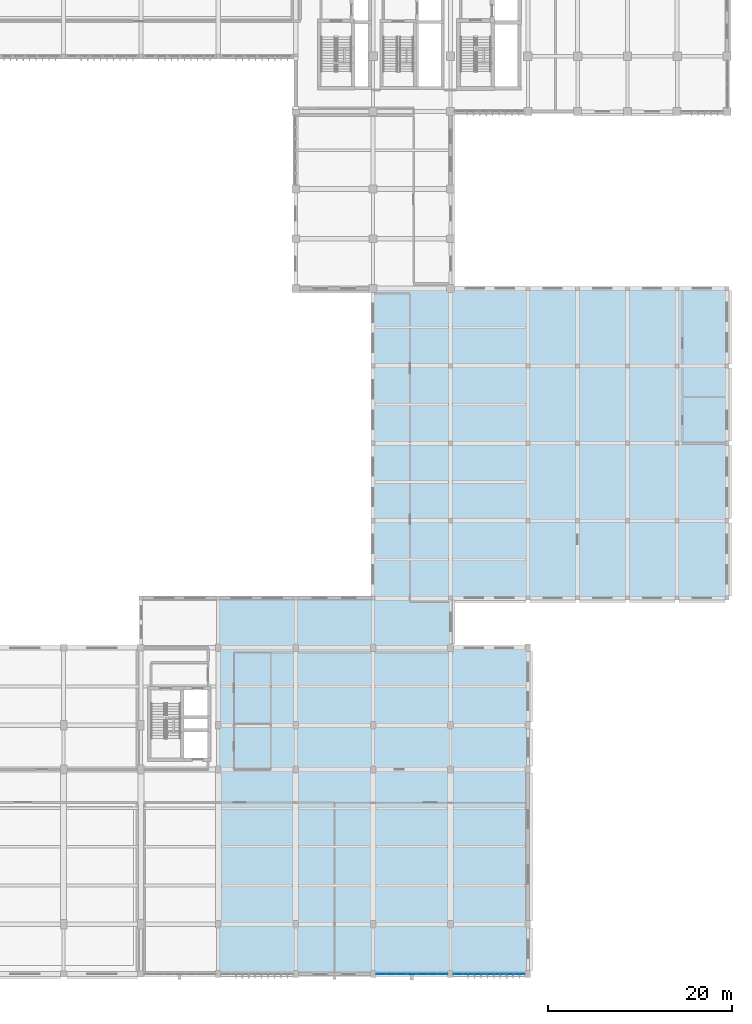
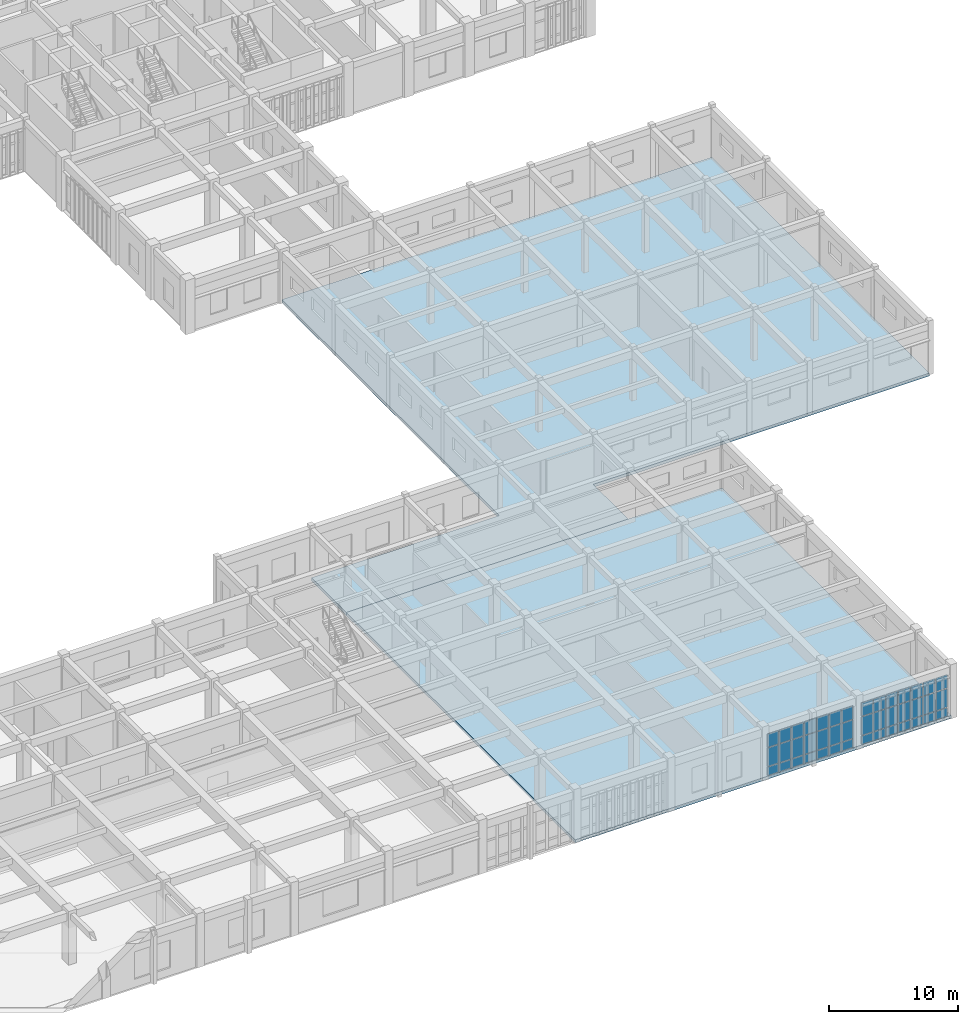
# One storey, part 77 of 106: 42 plates, 2 slabs, 2 elements without a shape of their own.
"""IFC4 building model written with IfcOpenShell, lengths in metres."""

from ifc_helpers import new_model, si_unit, direction, frame, origin, origin_2d, place, context, subcontext, project, spatial, polyline, rectangle, outline, extrude, material, layer, layer_set, type_object, element, aggregate, save


model = new_model("IFC4")

# Units and contexts
model_context = context("Model", 3, precision=1e-05, world=origin(), true_north=direction((0.0, 1.0)))
body_context = subcontext(model_context, "Body", "Model", "MODEL_VIEW")
ifc_project = project(units=[si_unit("LENGTHUNIT", "METRE"), si_unit("AREAUNIT", "SQUARE_METRE"), si_unit("VOLUMEUNIT", "CUBIC_METRE"), si_unit("PLANEANGLEUNIT", "RADIAN"), si_unit("MASSUNIT", "GRAM", prefix="KILO")], contexts=[model_context])

# Site, building, storey
site_placement = place(None, origin())
site = spatial("IfcSite", under=ifc_project, at=site_placement, CompositionType="ELEMENT")
building_placement = place(site_placement, origin())
building = spatial("IfcBuilding", under=site, at=building_placement, Name="Krzemoval Escarpment Law Courts", CompositionType="ELEMENT")
storey_placement = place(building_placement, frame((0.0, 0.0, 5.10009765625)))
storey = spatial("IfcBuildingStorey", under=building, at=storey_placement, Name="L01", CompositionType="ELEMENT", Elevation=5.10009765625)

# Curtain wall, plates
ifc_material_1 = material(Name="Aluminium 6063-T6", Category="aluminium")
ifc_layer_1 = layer(ifc_material_1, 0.239990234375)
ifc_layer_set_1 = layer_set([ifc_layer_1], Name="Aluminium 6063-T6")
curtain_wall_type = type_object("IfcCurtainWallType", Name="CW-LIBR-4800", PredefinedType="USERDEFINED", material=ifc_layer_set_1)
curtain_wall_1_placement = place(storey_placement, origin())
curtain_wall_1 = element("IfcCurtainWall", 1, at=curtain_wall_1_placement, inside=storey, type_object=curtain_wall_type, Name="Unitised Curtain Wall FCW-L01-041", ObjectType="UNITISED_CURTAIN_WALL", PredefinedType="USERDEFINED")
ifc_material_2 = material(Name="Triple Glazing IGU", Category="glass")
ifc_layer_2 = layer(ifc_material_2, 0.048095703125)
ifc_layer_set_2 = layer_set([ifc_layer_2], Name="Triple Glazing IGU")
plate_type = type_object("IfcPlateType", Name="CWP-GLZ-48", PredefinedType="CURTAIN_PANEL", material=ifc_layer_set_2)
plate_1_placement = place(storey_placement, frame((150.32421875, 0.0, 0.074951171875), z_axis=(0.0, 0.0, 1.0), x_axis=(-1.0, 0.0, 0.0)))
plate_1 = element("IfcPlate", 2, at=plate_1_placement, type_object=plate_type, Name="FCW-L01-041 panel 1.1", PredefinedType="CURTAIN_PANEL", context=body_context, shape_type="SweptSolid", body=[
    extrude(rectangle(XDim=1.001708984375, YDim=0.048095703125, at=origin_2d()), origin(), (0.0, 0.0, 1.0), 0.78759765625),
])
plate_2_placement = place(storey_placement, frame((150.32421875, 0.0, 0.937255859375), z_axis=(0.0, 0.0, 1.0), x_axis=(-1.0, 0.0, 0.0)))
plate_2 = element("IfcPlate", 3, at=plate_2_placement, type_object=plate_type, Name="FCW-L01-041 panel 1.2", PredefinedType="CURTAIN_PANEL", context=body_context, shape_type="SweptSolid", body=[
    extrude(rectangle(XDim=1.001708984375, YDim=0.048095703125, at=origin_2d()), origin(), (0.0, 0.0, 1.0), 1.72509765625),
])
plate_3_placement = place(storey_placement, frame((150.32421875, 0.0, 2.7373046875), z_axis=(0.0, 0.0, 1.0), x_axis=(-1.0, 0.0, 0.0)))
plate_3 = element("IfcPlate", 4, at=plate_3_placement, type_object=plate_type, Name="FCW-L01-041 panel 1.3", PredefinedType="CURTAIN_PANEL", context=body_context, shape_type="SweptSolid", body=[
    extrude(rectangle(XDim=1.001708984375, YDim=0.048095703125, at=origin_2d()), origin(), (0.0, 0.0, 1.0), 1.257568359375),
])
plate_4_placement = place(storey_placement, frame((149.228515625, 0.0, 0.074951171875), z_axis=(0.0, 0.0, 1.0), x_axis=(-1.0, 0.0, 0.0)))
plate_4 = element("IfcPlate", 5, at=plate_4_placement, type_object=plate_type, Name="FCW-L01-041 panel 2.1", PredefinedType="CURTAIN_PANEL", context=body_context, shape_type="SweptSolid", body=[
    extrude(rectangle(XDim=1.039306640625, YDim=0.048095703125, at=origin_2d()), origin(), (0.0, 0.0, 1.0), 0.78759765625),
])
plate_5_placement = place(storey_placement, frame((149.228515625, 0.0, 0.937255859375), z_axis=(0.0, 0.0, 1.0), x_axis=(-1.0, 0.0, 0.0)))
plate_5 = element("IfcPlate", 6, at=plate_5_placement, type_object=plate_type, Name="FCW-L01-041 panel 2.2", PredefinedType="CURTAIN_PANEL", context=body_context, shape_type="SweptSolid", body=[
    extrude(rectangle(XDim=1.039306640625, YDim=0.048095703125, at=origin_2d()), origin(), (0.0, 0.0, 1.0), 1.72509765625),
])
plate_6_placement = place(storey_placement, frame((149.228515625, 0.0, 2.7373046875), z_axis=(0.0, 0.0, 1.0), x_axis=(-1.0, 0.0, 0.0)))
plate_6 = element("IfcPlate", 7, at=plate_6_placement, type_object=plate_type, Name="FCW-L01-041 panel 2.3", PredefinedType="CURTAIN_PANEL", context=body_context, shape_type="SweptSolid", body=[
    extrude(rectangle(XDim=1.039306640625, YDim=0.048095703125, at=origin_2d()), origin(), (0.0, 0.0, 1.0), 1.257568359375),
])
plate_7_placement = place(storey_placement, frame((148.1142578125, 0.0, 0.074951171875), z_axis=(0.0, 0.0, 1.0), x_axis=(-1.0, 0.0, 0.0)))
plate_7 = element("IfcPlate", 8, at=plate_7_placement, type_object=plate_type, Name="FCW-L01-041 panel 3.1", PredefinedType="CURTAIN_PANEL", context=body_context, shape_type="SweptSolid", body=[
    extrude(rectangle(XDim=1.039306640625, YDim=0.048095703125, at=origin_2d()), origin(), (0.0, 0.0, 1.0), 0.78759765625),
])
plate_8_placement = place(storey_placement, frame((148.1142578125, 0.0, 0.937255859375), z_axis=(0.0, 0.0, 1.0), x_axis=(-1.0, 0.0, 0.0)))
plate_8 = element("IfcPlate", 9, at=plate_8_placement, type_object=plate_type, Name="FCW-L01-041 panel 3.2", PredefinedType="CURTAIN_PANEL", context=body_context, shape_type="SweptSolid", body=[
    extrude(rectangle(XDim=1.039306640625, YDim=0.048095703125, at=origin_2d()), origin(), (0.0, 0.0, 1.0), 1.72509765625),
])
plate_9_placement = place(storey_placement, frame((148.1142578125, 0.0, 2.7373046875), z_axis=(0.0, 0.0, 1.0), x_axis=(-1.0, 0.0, 0.0)))
plate_9 = element("IfcPlate", 10, at=plate_9_placement, type_object=plate_type, Name="FCW-L01-041 panel 3.3", PredefinedType="CURTAIN_PANEL", context=body_context, shape_type="SweptSolid", body=[
    extrude(rectangle(XDim=1.039306640625, YDim=0.048095703125, at=origin_2d()), origin(), (0.0, 0.0, 1.0), 1.257568359375),
])
plate_10_placement = place(storey_placement, frame((147.0, 0.0, 0.074951171875), z_axis=(0.0, 0.0, 1.0), x_axis=(-1.0, 0.0, 0.0)))
plate_10 = element("IfcPlate", 11, at=plate_10_placement, type_object=plate_type, Name="FCW-L01-041 panel 4.1", PredefinedType="CURTAIN_PANEL", context=body_context, shape_type="SweptSolid", body=[
    extrude(rectangle(XDim=1.039306640625, YDim=0.048095703125, at=origin_2d()), origin(), (0.0, 0.0, 1.0), 0.78759765625),
])
plate_11_placement = place(storey_placement, frame((147.0, 0.0, 0.937255859375), z_axis=(0.0, 0.0, 1.0), x_axis=(-1.0, 0.0, 0.0)))
plate_11 = element("IfcPlate", 12, at=plate_11_placement, type_object=plate_type, Name="FCW-L01-041 panel 4.2", PredefinedType="CURTAIN_PANEL", context=body_context, shape_type="SweptSolid", body=[
    extrude(rectangle(XDim=1.039306640625, YDim=0.048095703125, at=origin_2d()), origin(), (0.0, 0.0, 1.0), 1.72509765625),
])
plate_12_placement = place(storey_placement, frame((147.0, 0.0, 2.7373046875), z_axis=(0.0, 0.0, 1.0), x_axis=(-1.0, 0.0, 0.0)))
plate_12 = element("IfcPlate", 13, at=plate_12_placement, type_object=plate_type, Name="FCW-L01-041 panel 4.3", PredefinedType="CURTAIN_PANEL", context=body_context, shape_type="SweptSolid", body=[
    extrude(rectangle(XDim=1.039306640625, YDim=0.048095703125, at=origin_2d()), origin(), (0.0, 0.0, 1.0), 1.257568359375),
])
plate_13_placement = place(storey_placement, frame((145.8857421875, 0.0, 0.074951171875), z_axis=(0.0, 0.0, 1.0), x_axis=(-1.0, 0.0, 0.0)))
plate_13 = element("IfcPlate", 14, at=plate_13_placement, type_object=plate_type, Name="FCW-L01-041 panel 5.1", PredefinedType="CURTAIN_PANEL", context=body_context, shape_type="SweptSolid", body=[
    extrude(rectangle(XDim=1.039306640625, YDim=0.048095703125, at=origin_2d()), origin(), (0.0, 0.0, 1.0), 0.78759765625),
])
plate_14_placement = place(storey_placement, frame((145.8857421875, 0.0, 0.937255859375), z_axis=(0.0, 0.0, 1.0), x_axis=(-1.0, 0.0, 0.0)))
plate_14 = element("IfcPlate", 15, at=plate_14_placement, type_object=plate_type, Name="FCW-L01-041 panel 5.2", PredefinedType="CURTAIN_PANEL", context=body_context, shape_type="SweptSolid", body=[
    extrude(rectangle(XDim=1.039306640625, YDim=0.048095703125, at=origin_2d()), origin(), (0.0, 0.0, 1.0), 1.72509765625),
])
plate_15_placement = place(storey_placement, frame((145.8857421875, 0.0, 2.7373046875), z_axis=(0.0, 0.0, 1.0), x_axis=(-1.0, 0.0, 0.0)))
plate_15 = element("IfcPlate", 16, at=plate_15_placement, type_object=plate_type, Name="FCW-L01-041 panel 5.3", PredefinedType="CURTAIN_PANEL", context=body_context, shape_type="SweptSolid", body=[
    extrude(rectangle(XDim=1.039306640625, YDim=0.048095703125, at=origin_2d()), origin(), (0.0, 0.0, 1.0), 1.257568359375),
])
plate_16_placement = place(storey_placement, frame((144.771484375, 0.0, 0.074951171875), z_axis=(0.0, 0.0, 1.0), x_axis=(-1.0, 0.0, 0.0)))
plate_16 = element("IfcPlate", 17, at=plate_16_placement, type_object=plate_type, Name="FCW-L01-041 panel 6.1", PredefinedType="CURTAIN_PANEL", context=body_context, shape_type="SweptSolid", body=[
    extrude(rectangle(XDim=1.039306640625, YDim=0.048095703125, at=origin_2d()), origin(), (0.0, 0.0, 1.0), 0.78759765625),
])
plate_17_placement = place(storey_placement, frame((144.771484375, 0.0, 0.937255859375), z_axis=(0.0, 0.0, 1.0), x_axis=(-1.0, 0.0, 0.0)))
plate_17 = element("IfcPlate", 18, at=plate_17_placement, type_object=plate_type, Name="FCW-L01-041 panel 6.2", PredefinedType="CURTAIN_PANEL", context=body_context, shape_type="SweptSolid", body=[
    extrude(rectangle(XDim=1.039306640625, YDim=0.048095703125, at=origin_2d()), origin(), (0.0, 0.0, 1.0), 1.72509765625),
])
plate_18_placement = place(storey_placement, frame((144.771484375, 0.0, 2.7373046875), z_axis=(0.0, 0.0, 1.0), x_axis=(-1.0, 0.0, 0.0)))
plate_18 = element("IfcPlate", 19, at=plate_18_placement, type_object=plate_type, Name="FCW-L01-041 panel 6.3", PredefinedType="CURTAIN_PANEL", context=body_context, shape_type="SweptSolid", body=[
    extrude(rectangle(XDim=1.039306640625, YDim=0.048095703125, at=origin_2d()), origin(), (0.0, 0.0, 1.0), 1.257568359375),
])
plate_19_placement = place(storey_placement, frame((143.67578125, 0.0, 0.074951171875), z_axis=(0.0, 0.0, 1.0), x_axis=(-1.0, 0.0, 0.0)))
plate_19 = element("IfcPlate", 20, at=plate_19_placement, type_object=plate_type, Name="FCW-L01-041 panel 7.1", PredefinedType="CURTAIN_PANEL", context=body_context, shape_type="SweptSolid", body=[
    extrude(rectangle(XDim=1.001708984375, YDim=0.048095703125, at=origin_2d()), origin(), (0.0, 0.0, 1.0), 0.78759765625),
])
plate_20_placement = place(storey_placement, frame((143.67578125, 0.0, 0.937255859375), z_axis=(0.0, 0.0, 1.0), x_axis=(-1.0, 0.0, 0.0)))
plate_20 = element("IfcPlate", 21, at=plate_20_placement, type_object=plate_type, Name="FCW-L01-041 panel 7.2", PredefinedType="CURTAIN_PANEL", context=body_context, shape_type="SweptSolid", body=[
    extrude(rectangle(XDim=1.001708984375, YDim=0.048095703125, at=origin_2d()), origin(), (0.0, 0.0, 1.0), 1.72509765625),
])
plate_21_placement = place(storey_placement, frame((143.67578125, 0.0, 2.7373046875), z_axis=(0.0, 0.0, 1.0), x_axis=(-1.0, 0.0, 0.0)))
plate_21 = element("IfcPlate", 22, at=plate_21_placement, type_object=plate_type, Name="FCW-L01-041 panel 7.3", PredefinedType="CURTAIN_PANEL", context=body_context, shape_type="SweptSolid", body=[
    extrude(rectangle(XDim=1.001708984375, YDim=0.048095703125, at=origin_2d()), origin(), (0.0, 0.0, 1.0), 1.257568359375),
])
aggregate(curtain_wall_1, [plate_1, plate_2, plate_3, plate_4, plate_5, plate_6, plate_7, plate_8, plate_9, plate_10, plate_11, plate_12, plate_13, plate_14, plate_15, plate_16, plate_17, plate_18, plate_19, plate_20, plate_21])

curtain_wall_2_placement = place(storey_placement, origin())
curtain_wall_2 = element("IfcCurtainWall", 23, at=curtain_wall_2_placement, inside=storey, type_object=curtain_wall_type, Name="Unitised Curtain Wall FCW-L01-042", ObjectType="UNITISED_CURTAIN_WALL", PredefinedType="USERDEFINED")
plate_22_placement = place(storey_placement, frame((141.924072265625, 0.0, 0.074951171875), z_axis=(0.0, 0.0, 1.0), x_axis=(-1.0, 0.0, 0.0)))
plate_22 = element("IfcPlate", 24, at=plate_22_placement, type_object=plate_type, Name="FCW-L01-042 panel 1.1", PredefinedType="CURTAIN_PANEL", context=body_context, shape_type="SweptSolid", body=[
    extrude(rectangle(XDim=1.001708984375, YDim=0.048095703125, at=origin_2d()), origin(), (0.0, 0.0, 1.0), 0.78759765625),
])
plate_23_placement = place(storey_placement, frame((141.924072265625, 0.0, 0.937255859375), z_axis=(0.0, 0.0, 1.0), x_axis=(-1.0, 0.0, 0.0)))
plate_23 = element("IfcPlate", 25, at=plate_23_placement, type_object=plate_type, Name="FCW-L01-042 panel 1.2", PredefinedType="CURTAIN_PANEL", context=body_context, shape_type="SweptSolid", body=[
    extrude(rectangle(XDim=1.001708984375, YDim=0.048095703125, at=origin_2d()), origin(), (0.0, 0.0, 1.0), 1.72509765625),
])
plate_24_placement = place(storey_placement, frame((141.924072265625, 0.0, 2.7373046875), z_axis=(0.0, 0.0, 1.0), x_axis=(-1.0, 0.0, 0.0)))
plate_24 = element("IfcPlate", 26, at=plate_24_placement, type_object=plate_type, Name="FCW-L01-042 panel 1.3", PredefinedType="CURTAIN_PANEL", context=body_context, shape_type="SweptSolid", body=[
    extrude(rectangle(XDim=1.001708984375, YDim=0.048095703125, at=origin_2d()), origin(), (0.0, 0.0, 1.0), 1.257568359375),
])
plate_25_placement = place(storey_placement, frame((140.82861328125, 0.0, 0.074951171875), z_axis=(0.0, 0.0, 1.0), x_axis=(-1.0, 0.0, 0.0)))
plate_25 = element("IfcPlate", 27, at=plate_25_placement, type_object=plate_type, Name="FCW-L01-042 panel 2.1", PredefinedType="CURTAIN_PANEL", context=body_context, shape_type="SweptSolid", body=[
    extrude(rectangle(XDim=1.039306640625, YDim=0.048095703125, at=origin_2d()), origin(), (0.0, 0.0, 1.0), 0.78759765625),
])
plate_26_placement = place(storey_placement, frame((140.82861328125, 0.0, 0.937255859375), z_axis=(0.0, 0.0, 1.0), x_axis=(-1.0, 0.0, 0.0)))
plate_26 = element("IfcPlate", 28, at=plate_26_placement, type_object=plate_type, Name="FCW-L01-042 panel 2.2", PredefinedType="CURTAIN_PANEL", context=body_context, shape_type="SweptSolid", body=[
    extrude(rectangle(XDim=1.039306640625, YDim=0.048095703125, at=origin_2d()), origin(), (0.0, 0.0, 1.0), 1.72509765625),
])
plate_27_placement = place(storey_placement, frame((140.82861328125, 0.0, 2.7373046875), z_axis=(0.0, 0.0, 1.0), x_axis=(-1.0, 0.0, 0.0)))
plate_27 = element("IfcPlate", 29, at=plate_27_placement, type_object=plate_type, Name="FCW-L01-042 panel 2.3", PredefinedType="CURTAIN_PANEL", context=body_context, shape_type="SweptSolid", body=[
    extrude(rectangle(XDim=1.039306640625, YDim=0.048095703125, at=origin_2d()), origin(), (0.0, 0.0, 1.0), 1.257568359375),
])
plate_28_placement = place(storey_placement, frame((139.71435546875, 0.0, 0.074951171875), z_axis=(0.0, 0.0, 1.0), x_axis=(-1.0, 0.0, 0.0)))
plate_28 = element("IfcPlate", 30, at=plate_28_placement, type_object=plate_type, Name="FCW-L01-042 panel 3.1", PredefinedType="CURTAIN_PANEL", context=body_context, shape_type="SweptSolid", body=[
    extrude(rectangle(XDim=1.039306640625, YDim=0.048095703125, at=origin_2d()), origin(), (0.0, 0.0, 1.0), 0.78759765625),
])
plate_29_placement = place(storey_placement, frame((139.71435546875, 0.0, 0.937255859375), z_axis=(0.0, 0.0, 1.0), x_axis=(-1.0, 0.0, 0.0)))
plate_29 = element("IfcPlate", 31, at=plate_29_placement, type_object=plate_type, Name="FCW-L01-042 panel 3.2", PredefinedType="CURTAIN_PANEL", context=body_context, shape_type="SweptSolid", body=[
    extrude(rectangle(XDim=1.039306640625, YDim=0.048095703125, at=origin_2d()), origin(), (0.0, 0.0, 1.0), 1.72509765625),
])
plate_30_placement = place(storey_placement, frame((139.71435546875, 0.0, 2.7373046875), z_axis=(0.0, 0.0, 1.0), x_axis=(-1.0, 0.0, 0.0)))
plate_30 = element("IfcPlate", 32, at=plate_30_placement, type_object=plate_type, Name="FCW-L01-042 panel 3.3", PredefinedType="CURTAIN_PANEL", context=body_context, shape_type="SweptSolid", body=[
    extrude(rectangle(XDim=1.039306640625, YDim=0.048095703125, at=origin_2d()), origin(), (0.0, 0.0, 1.0), 1.257568359375),
])
plate_31_placement = place(storey_placement, frame((138.60009765625, 0.0, 0.074951171875), z_axis=(0.0, 0.0, 1.0), x_axis=(-1.0, 0.0, 0.0)))
plate_31 = element("IfcPlate", 33, at=plate_31_placement, type_object=plate_type, Name="FCW-L01-042 panel 4.1", PredefinedType="CURTAIN_PANEL", context=body_context, shape_type="SweptSolid", body=[
    extrude(rectangle(XDim=1.039306640625, YDim=0.048095703125, at=origin_2d()), origin(), (0.0, 0.0, 1.0), 0.78759765625),
])
plate_32_placement = place(storey_placement, frame((138.60009765625, 0.0, 0.937255859375), z_axis=(0.0, 0.0, 1.0), x_axis=(-1.0, 0.0, 0.0)))
plate_32 = element("IfcPlate", 34, at=plate_32_placement, type_object=plate_type, Name="FCW-L01-042 panel 4.2", PredefinedType="CURTAIN_PANEL", context=body_context, shape_type="SweptSolid", body=[
    extrude(rectangle(XDim=1.039306640625, YDim=0.048095703125, at=origin_2d()), origin(), (0.0, 0.0, 1.0), 1.72509765625),
])
plate_33_placement = place(storey_placement, frame((138.60009765625, 0.0, 2.7373046875), z_axis=(0.0, 0.0, 1.0), x_axis=(-1.0, 0.0, 0.0)))
plate_33 = element("IfcPlate", 35, at=plate_33_placement, type_object=plate_type, Name="FCW-L01-042 panel 4.3", PredefinedType="CURTAIN_PANEL", context=body_context, shape_type="SweptSolid", body=[
    extrude(rectangle(XDim=1.039306640625, YDim=0.048095703125, at=origin_2d()), origin(), (0.0, 0.0, 1.0), 1.257568359375),
])
plate_34_placement = place(storey_placement, frame((137.485595703125, 0.0, 0.074951171875), z_axis=(0.0, 0.0, 1.0), x_axis=(-1.0, 0.0, 0.0)))
plate_34 = element("IfcPlate", 36, at=plate_34_placement, type_object=plate_type, Name="FCW-L01-042 panel 5.1", PredefinedType="CURTAIN_PANEL", context=body_context, shape_type="SweptSolid", body=[
    extrude(rectangle(XDim=1.039306640625, YDim=0.048095703125, at=origin_2d()), origin(), (0.0, 0.0, 1.0), 0.78759765625),
])
plate_35_placement = place(storey_placement, frame((137.485595703125, 0.0, 0.937255859375), z_axis=(0.0, 0.0, 1.0), x_axis=(-1.0, 0.0, 0.0)))
plate_35 = element("IfcPlate", 37, at=plate_35_placement, type_object=plate_type, Name="FCW-L01-042 panel 5.2", PredefinedType="CURTAIN_PANEL", context=body_context, shape_type="SweptSolid", body=[
    extrude(rectangle(XDim=1.039306640625, YDim=0.048095703125, at=origin_2d()), origin(), (0.0, 0.0, 1.0), 1.72509765625),
])
plate_36_placement = place(storey_placement, frame((137.485595703125, 0.0, 2.7373046875), z_axis=(0.0, 0.0, 1.0), x_axis=(-1.0, 0.0, 0.0)))
plate_36 = element("IfcPlate", 38, at=plate_36_placement, type_object=plate_type, Name="FCW-L01-042 panel 5.3", PredefinedType="CURTAIN_PANEL", context=body_context, shape_type="SweptSolid", body=[
    extrude(rectangle(XDim=1.039306640625, YDim=0.048095703125, at=origin_2d()), origin(), (0.0, 0.0, 1.0), 1.257568359375),
])
plate_37_placement = place(storey_placement, frame((136.371337890625, 0.0, 0.074951171875), z_axis=(0.0, 0.0, 1.0), x_axis=(-1.0, 0.0, 0.0)))
plate_37 = element("IfcPlate", 39, at=plate_37_placement, type_object=plate_type, Name="FCW-L01-042 panel 6.1", PredefinedType="CURTAIN_PANEL", context=body_context, shape_type="SweptSolid", body=[
    extrude(rectangle(XDim=1.039306640625, YDim=0.048095703125, at=origin_2d()), origin(), (0.0, 0.0, 1.0), 0.78759765625),
])
plate_38_placement = place(storey_placement, frame((136.371337890625, 0.0, 0.937255859375), z_axis=(0.0, 0.0, 1.0), x_axis=(-1.0, 0.0, 0.0)))
plate_38 = element("IfcPlate", 40, at=plate_38_placement, type_object=plate_type, Name="FCW-L01-042 panel 6.2", PredefinedType="CURTAIN_PANEL", context=body_context, shape_type="SweptSolid", body=[
    extrude(rectangle(XDim=1.039306640625, YDim=0.048095703125, at=origin_2d()), origin(), (0.0, 0.0, 1.0), 1.72509765625),
])
plate_39_placement = place(storey_placement, frame((136.371337890625, 0.0, 2.7373046875), z_axis=(0.0, 0.0, 1.0), x_axis=(-1.0, 0.0, 0.0)))
plate_39 = element("IfcPlate", 41, at=plate_39_placement, type_object=plate_type, Name="FCW-L01-042 panel 6.3", PredefinedType="CURTAIN_PANEL", context=body_context, shape_type="SweptSolid", body=[
    extrude(rectangle(XDim=1.039306640625, YDim=0.048095703125, at=origin_2d()), origin(), (0.0, 0.0, 1.0), 1.257568359375),
])
plate_40_placement = place(storey_placement, frame((135.27587890625, 0.0, 0.074951171875), z_axis=(0.0, 0.0, 1.0), x_axis=(-1.0, 0.0, 0.0)))
plate_40 = element("IfcPlate", 42, at=plate_40_placement, type_object=plate_type, Name="FCW-L01-042 panel 7.1", PredefinedType="CURTAIN_PANEL", context=body_context, shape_type="SweptSolid", body=[
    extrude(rectangle(XDim=1.001708984375, YDim=0.048095703125, at=origin_2d()), origin(), (0.0, 0.0, 1.0), 0.78759765625),
])
plate_41_placement = place(storey_placement, frame((135.27587890625, 0.0, 0.937255859375), z_axis=(0.0, 0.0, 1.0), x_axis=(-1.0, 0.0, 0.0)))
plate_41 = element("IfcPlate", 43, at=plate_41_placement, type_object=plate_type, Name="FCW-L01-042 panel 7.2", PredefinedType="CURTAIN_PANEL", context=body_context, shape_type="SweptSolid", body=[
    extrude(rectangle(XDim=1.001708984375, YDim=0.048095703125, at=origin_2d()), origin(), (0.0, 0.0, 1.0), 1.72509765625),
])
plate_42_placement = place(storey_placement, frame((135.27587890625, 0.0, 2.7373046875), z_axis=(0.0, 0.0, 1.0), x_axis=(-1.0, 0.0, 0.0)))
plate_42 = element("IfcPlate", 44, at=plate_42_placement, type_object=plate_type, Name="FCW-L01-042 panel 7.3", PredefinedType="CURTAIN_PANEL", context=body_context, shape_type="SweptSolid", body=[
    extrude(rectangle(XDim=1.001708984375, YDim=0.048095703125, at=origin_2d()), origin(), (0.0, 0.0, 1.0), 1.257568359375),
])
aggregate(curtain_wall_2, [plate_22, plate_23, plate_24, plate_25, plate_26, plate_27, plate_28, plate_29, plate_30, plate_31, plate_32, plate_33, plate_34, plate_35, plate_36, plate_37, plate_38, plate_39, plate_40, plate_41, plate_42])

# Slabs
ifc_material_3 = material(Name="Concrete C50/60", Category="concrete")
ifc_layer_3 = layer(ifc_material_3, 0.280029296875)
ifc_layer_set_3 = layer_set([ifc_layer_3], Name="Concrete C50/60")
slab_type = type_object("IfcSlabType", Name="SL-PT-280", PredefinedType="FLOOR", material=ifc_layer_set_3)
slab_1_placement = place(storey_placement, frame((0.0, 0.0, -0.280029296875)))
element("IfcSlab", 45, at=slab_1_placement, inside=storey, type_object=slab_type, Name="Floor Slab SL-L01-V3-021", PredefinedType="FLOOR", context=body_context, shape_type="SweptSolid", body=[
    extrude(outline(polyline([(151.199951171875, 35.39990234375), (151.199951171875, 0.0), (117.639892578125, 0.0), (117.639892578125, 35.39990234375), (151.199951171875, 35.39990234375)])), origin(), (0.0, 0.0, 1.0), 0.280029296875),
])
slab_2_placement = place(storey_placement, frame((0.0, 0.0, -0.280029296875)))
element("IfcSlab", 46, at=slab_2_placement, inside=storey, type_object=slab_type, Name="Floor Slab SL-L01-V6-027", PredefinedType="FLOOR", context=body_context, shape_type="SweptSolid", body=[
    extrude(outline(polyline([(117.639892578125, 35.39990234375), (117.639892578125, 40.800048828125), (134.39990234375, 40.800048828125), (134.39990234375, 74.39990234375), (172.800048828125, 74.39990234375), (172.800048828125, 40.800048828125), (142.800048828125, 40.800048828125), (142.800048828125, 35.39990234375), (117.639892578125, 35.39990234375)])), origin(), (0.0, 0.0, 1.0), 0.280029296875),
])

save(model, "model.ifc")
